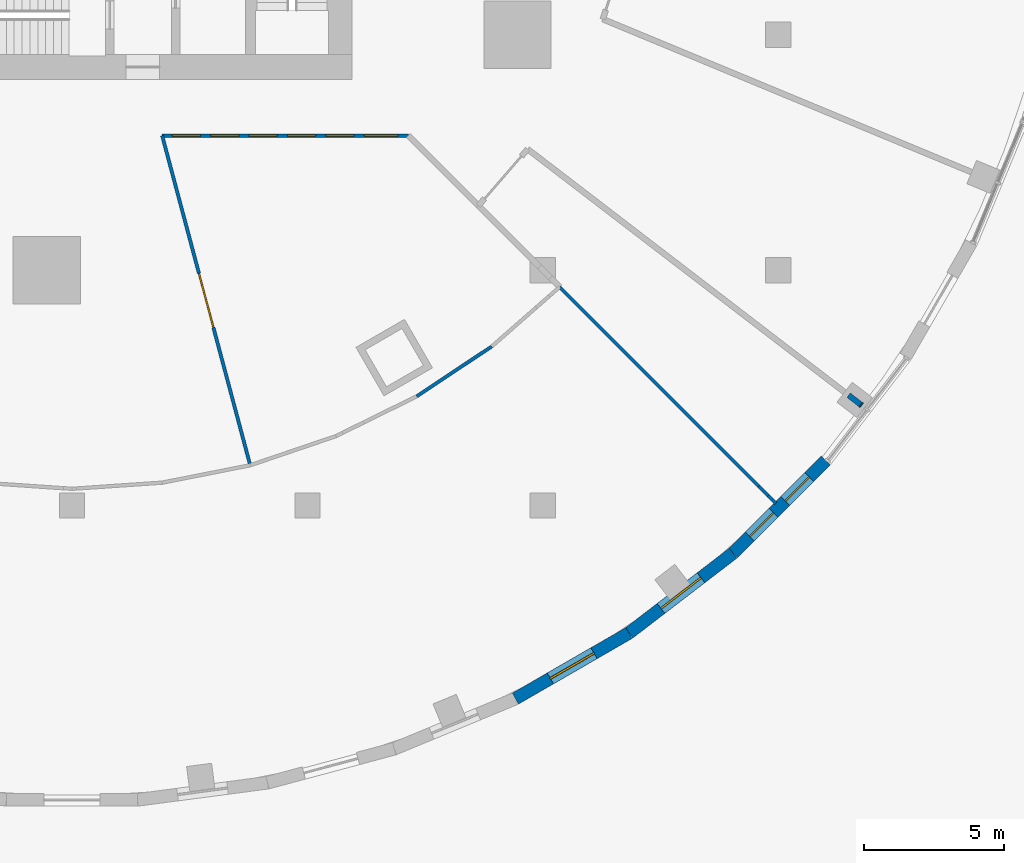
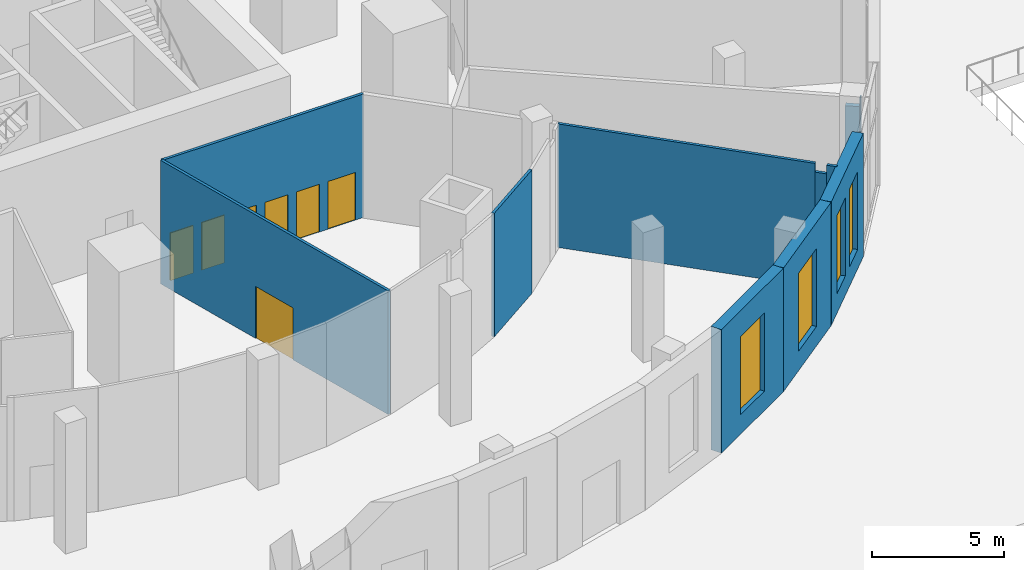
# One storey, part 10 of 19: 11 walls, 7 doors, 4 windows, 11 openings.
"""IFC4 building model written with IfcOpenShell, lengths in metres."""

from ifc_helpers import new_model, si_unit, direction, frame, frame_2d, origin, place, context, subcontext, project, spatial, rectangle, extrude, material, layer, layer_set, type_object, element, fill, save


model = new_model("IFC4")

# Units and contexts
model_context = context("Model", 3, precision=1e-05, world=origin(), true_north=direction((0.0, 1.0)))
body_context = subcontext(model_context, "Body", "Model", "MODEL_VIEW")
ifc_project = project(units=[si_unit("LENGTHUNIT", "METRE"), si_unit("AREAUNIT", "SQUARE_METRE"), si_unit("VOLUMEUNIT", "CUBIC_METRE"), si_unit("PLANEANGLEUNIT", "RADIAN"), si_unit("MASSUNIT", "GRAM", prefix="KILO")], contexts=[model_context])

# Site, building, storey
site_placement = place(None, origin())
site = spatial("IfcSite", under=ifc_project, at=site_placement, CompositionType="ELEMENT")
building_placement = place(site_placement, origin())
building = spatial("IfcBuilding", under=site, at=building_placement, Name="Golbaran Civic Tower", CompositionType="ELEMENT")
storey_placement = place(building_placement, origin())
storey = spatial("IfcBuildingStorey", under=building, at=storey_placement, Name="L00", CompositionType="ELEMENT", Elevation=0.0)

# Wall, opening, door
ifc_material_1 = material(Name="Glazed screen on steel framing", Category="steel")
ifc_layer_1 = layer(ifc_material_1, 0.1201171875, Name="Glazed screen on steel framing")
ifc_layer_set_1 = layer_set([ifc_layer_1], Name="Glazed screen on steel framing")
wall_type_1 = type_object("IfcWallType", Name="GLAZED SCREEN PARTITION 120", PredefinedType="PARTITIONING", material=ifc_layer_set_1)
wall_1_placement = place(storey_placement, frame((3.219970703125, -12.0, 0.0), z_axis=(0.0, 0.0, 1.0), x_axis=(0.257979728484, -0.966150329758, 0.0)))
wall_1 = element("IfcWall", 1, at=wall_1_placement, inside=storey, type_object=wall_type_1, Name="Podium partition L00", PredefinedType="PARTITIONING", context=body_context, shape_type="SweptSolid", body=[
    extrude(rectangle(XDim=12.172119140625, YDim=0.1201171875, at=frame_2d((6.0859375, 0.0))), origin(), (0.0, 0.0, 1.0), 5.699951171875),
])
opening_1_placement = place(wall_1_placement, frame((5.0859375, 0.0, 0.0)))
opening_1 = element("IfcOpeningElement", 2, at=opening_1_placement, cuts=wall_1, Name="Opening L00.22", PredefinedType="OPENING", context=body_context, shape_type="SweptSolid", body=[
    extrude(rectangle(XDim=2.0, YDim=2.39990234375, at=frame_2d((1.0, 1.199951171875))), frame((0.0, 0.070068359375, 0.0), z_axis=(0.0, -1.0, 0.0), x_axis=(1.0, 0.0, 0.0)), (0.0, 0.0, 1.0), 0.14013671875),
])
ifc_material_2 = material(Name="Timber door set in steel frame", Category="steel")
door_type_1 = type_object("IfcDoorType", Name="PUBLIC DOUBLE DOOR 2000x2400", OperationType="DOUBLE_DOOR_SINGLE_SWING", PredefinedType="DOOR", material=ifc_material_2)
door_1_placement = place(opening_1_placement, origin())
door_1 = element("IfcDoor", 3, at=door_1_placement, inside=storey, type_object=door_type_1, Name="Security Screening Room door", OperationType="DOUBLE_DOOR_SINGLE_SWING", OverallHeight=2.39990234375, OverallWidth=2.0, PredefinedType="DOOR", context=body_context, shape_type="SweptSolid", body=[
    extrude(rectangle(XDim=2.0, YDim=2.39990234375, at=frame_2d((1.0, 1.199951171875))), frame((0.0, 0.02490234375, 0.0), z_axis=(0.0, -1.0, 0.0), x_axis=(1.0, 0.0, 0.0)), (0.0, 0.0, 1.0), 0.050048828125),
])
fill(opening_1, door_1)

# Walls
wall_2_placement = place(storey_placement, frame((12.300048828125, -21.300048828125, 0.0), z_axis=(0.0, 0.0, 1.0), x_axis=(0.832994734858, 0.553280915719, 0.0)))
element("IfcWall", 4, at=wall_2_placement, inside=storey, type_object=wall_type_1, Name="Podium partition L00", PredefinedType="PARTITIONING", context=body_context, shape_type="SweptSolid", body=[
    extrude(rectangle(XDim=3.21728515625, YDim=0.1201171875, at=frame_2d((1.608642578125, 0.0))), origin(), (0.0, 0.0, 1.0), 5.699951171875),
])
wall_3_placement = place(storey_placement, frame((17.39990234375, -17.39990234375, 0.0), z_axis=(0.0, 0.0, 1.0), x_axis=(0.707106781187, -0.707106781187, 0.0)))
element("IfcWall", 5, at=wall_3_placement, inside=storey, type_object=wall_type_1, Name="Podium partition L00", PredefinedType="PARTITIONING", context=body_context, shape_type="SweptSolid", body=[
    extrude(rectangle(XDim=10.061767578125, YDim=0.1201171875, at=frame_2d((5.03076171875, 0.0))), origin(), (0.0, 0.0, 1.0), 5.699951171875),
])
wall_4_placement = place(storey_placement, frame((24.5146484375, -24.5146484375, 0.0), z_axis=(0.0, 0.0, 1.0), x_axis=(0.707106781187, -0.707106781187, 0.0)))
element("IfcWall", 6, at=wall_4_placement, inside=storey, type_object=wall_type_1, Name="Podium partition L00 under the beam over", PredefinedType="PARTITIONING", context=body_context, shape_type="SweptSolid", body=[
    extrude(rectangle(XDim=0.4599609375, YDim=0.1201171875, at=frame_2d((0.22998046875, 0.0))), origin(), (0.0, 0.0, 1.0), 5.300048828125),
])
wall_5_placement = place(storey_placement, frame((24.83984375, -24.83984375, 0.0), z_axis=(0.0, 0.0, 1.0), x_axis=(0.707106781187, -0.707106781187, 0.0)))
element("IfcWall", 7, at=wall_5_placement, inside=storey, type_object=wall_type_1, Name="Podium partition L00 under the beam over", PredefinedType="PARTITIONING", context=body_context, shape_type="SweptSolid", body=[
    extrude(rectangle(XDim=0.396484375, YDim=0.1201171875, at=frame_2d((0.1982421875, 0.0))), origin(), (0.0, 0.0, 1.0), 5.699951171875),
])

# Wall, openings, doors
wall_6_placement = place(storey_placement, frame((3.21533203125, -12.0, 0.0), z_axis=(0.0, 0.0, 1.0), x_axis=(1.0, 0.0, 0.0)))
wall_6 = element("IfcWall", 8, at=wall_6_placement, inside=storey, type_object=wall_type_1, Name="Security screening line L00", PredefinedType="PARTITIONING", context=body_context, shape_type="SweptSolid", body=[
    extrude(rectangle(XDim=8.78466796875, YDim=0.1201171875, at=frame_2d((4.392333984375, 0.0))), origin(), (0.0, 0.0, 1.0), 5.699951171875),
])
opening_2_placement = place(wall_6_placement, frame((0.369140625, 0.0, 0.0)))
opening_2 = element("IfcOpeningElement", 9, at=opening_2_placement, cuts=wall_6, Name="Opening L00.28", PredefinedType="OPENING", context=body_context, shape_type="SweptSolid", body=[
    extrude(rectangle(XDim=1.0, YDim=2.199951171875, at=frame_2d((0.5, 1.10009765625))), frame((0.0, 0.070068359375, 0.0), z_axis=(0.0, -1.0, 0.0), x_axis=(1.0, 0.0, 0.0)), (0.0, 0.0, 1.0), 0.14013671875),
])
opening_3_placement = place(wall_6_placement, frame((1.738525390625, 0.0, 0.0)))
opening_3 = element("IfcOpeningElement", 10, at=opening_3_placement, cuts=wall_6, Name="Opening L00.29", PredefinedType="OPENING", context=body_context, shape_type="SweptSolid", body=[
    extrude(rectangle(XDim=1.0, YDim=2.199951171875, at=frame_2d((0.5, 1.10009765625))), frame((0.0, 0.070068359375, 0.0), z_axis=(0.0, -1.0, 0.0), x_axis=(1.0, 0.0, 0.0)), (0.0, 0.0, 1.0), 0.14013671875),
])
opening_4_placement = place(wall_6_placement, frame((3.107666015625, 0.0, 0.0)))
opening_4 = element("IfcOpeningElement", 11, at=opening_4_placement, cuts=wall_6, Name="Opening L00.30", PredefinedType="OPENING", context=body_context, shape_type="SweptSolid", body=[
    extrude(rectangle(XDim=1.0, YDim=2.199951171875, at=frame_2d((0.5, 1.10009765625))), frame((0.0, 0.070068359375, 0.0), z_axis=(0.0, -1.0, 0.0), x_axis=(1.0, 0.0, 0.0)), (0.0, 0.0, 1.0), 0.14013671875),
])
opening_5_placement = place(wall_6_placement, frame((4.476806640625, 0.0, 0.0)))
opening_5 = element("IfcOpeningElement", 12, at=opening_5_placement, cuts=wall_6, Name="Opening L00.31", PredefinedType="OPENING", context=body_context, shape_type="SweptSolid", body=[
    extrude(rectangle(XDim=1.0, YDim=2.199951171875, at=frame_2d((0.5, 1.10009765625))), frame((0.0, 0.070068359375, 0.0), z_axis=(0.0, -1.0, 0.0), x_axis=(1.0, 0.0, 0.0)), (0.0, 0.0, 1.0), 0.14013671875),
])
opening_6_placement = place(wall_6_placement, frame((5.84619140625, 0.0, 0.0)))
opening_6 = element("IfcOpeningElement", 13, at=opening_6_placement, cuts=wall_6, Name="Opening L00.32", PredefinedType="OPENING", context=body_context, shape_type="SweptSolid", body=[
    extrude(rectangle(XDim=1.0, YDim=2.199951171875, at=frame_2d((0.5, 1.10009765625))), frame((0.0, 0.070068359375, 0.0), z_axis=(0.0, -1.0, 0.0), x_axis=(1.0, 0.0, 0.0)), (0.0, 0.0, 1.0), 0.14013671875),
])
opening_7_placement = place(wall_6_placement, frame((7.21533203125, 0.0, 0.0)))
opening_7 = element("IfcOpeningElement", 14, at=opening_7_placement, cuts=wall_6, Name="Opening L00.33", PredefinedType="OPENING", context=body_context, shape_type="SweptSolid", body=[
    extrude(rectangle(XDim=1.199951171875, YDim=2.199951171875, at=frame_2d((0.60009765625, 1.10009765625))), frame((0.0, 0.070068359375, 0.0), z_axis=(0.0, -1.0, 0.0), x_axis=(1.0, 0.0, 0.0)), (0.0, 0.0, 1.0), 0.14013671875),
])
ifc_material_3 = material(Name="Stainless steel frame, toughened glass", Category="steel")
door_type_2 = type_object("IfcDoorType", Name="ACCESSIBLE SECURITY GATE 1200x2200", OperationType="SINGLE_SWING_LEFT", PredefinedType="GATE", material=ifc_material_3)
door_2_placement = place(opening_7_placement, origin())
door_2 = element("IfcDoor", 15, at=door_2_placement, inside=storey, type_object=door_type_2, Name="Accessible security gate 6", OperationType="SINGLE_SWING_RIGHT", OverallHeight=2.199951171875, OverallWidth=1.199951171875, PredefinedType="GATE", context=body_context, shape_type="SweptSolid", body=[
    extrude(rectangle(XDim=1.199951171875, YDim=2.199951171875, at=frame_2d((0.60009765625, 1.10009765625))), frame((0.0, 0.02490234375, 0.0), z_axis=(0.0, -1.0, 0.0), x_axis=(1.0, 0.0, 0.0)), (0.0, 0.0, 1.0), 0.050048828125),
])
fill(opening_7, door_2)
door_type_3 = type_object("IfcDoorType", Name="SECURITY GATE 1000x2200", OperationType="SINGLE_SWING_LEFT", PredefinedType="GATE", material=ifc_material_3)
door_3_placement = place(opening_2_placement, origin())
door_3 = element("IfcDoor", 16, at=door_3_placement, inside=storey, type_object=door_type_3, Name="Security gate 1", OperationType="SINGLE_SWING_LEFT", OverallHeight=2.199951171875, OverallWidth=1.0, PredefinedType="GATE", context=body_context, shape_type="SweptSolid", body=[
    extrude(rectangle(XDim=1.0, YDim=2.199951171875, at=frame_2d((0.5, 1.10009765625))), frame((0.0, 0.02490234375, 0.0), z_axis=(0.0, -1.0, 0.0), x_axis=(1.0, 0.0, 0.0)), (0.0, 0.0, 1.0), 0.050048828125),
])
fill(opening_2, door_3)
door_4_placement = place(opening_3_placement, origin())
door_4 = element("IfcDoor", 17, at=door_4_placement, inside=storey, type_object=door_type_3, Name="Security gate 2", OperationType="SINGLE_SWING_LEFT", OverallHeight=2.199951171875, OverallWidth=1.0, PredefinedType="GATE", context=body_context, shape_type="SweptSolid", body=[
    extrude(rectangle(XDim=1.0, YDim=2.199951171875, at=frame_2d((0.5, 1.10009765625))), frame((0.0, 0.02490234375, 0.0), z_axis=(0.0, -1.0, 0.0), x_axis=(1.0, 0.0, 0.0)), (0.0, 0.0, 1.0), 0.050048828125),
])
fill(opening_3, door_4)
door_5_placement = place(opening_4_placement, origin())
door_5 = element("IfcDoor", 18, at=door_5_placement, inside=storey, type_object=door_type_3, Name="Security gate 3", OperationType="SINGLE_SWING_LEFT", OverallHeight=2.199951171875, OverallWidth=1.0, PredefinedType="GATE", context=body_context, shape_type="SweptSolid", body=[
    extrude(rectangle(XDim=1.0, YDim=2.199951171875, at=frame_2d((0.5, 1.10009765625))), frame((0.0, 0.02490234375, 0.0), z_axis=(0.0, -1.0, 0.0), x_axis=(1.0, 0.0, 0.0)), (0.0, 0.0, 1.0), 0.050048828125),
])
fill(opening_4, door_5)
door_6_placement = place(opening_5_placement, origin())
door_6 = element("IfcDoor", 19, at=door_6_placement, inside=storey, type_object=door_type_3, Name="Security gate 4", OperationType="SINGLE_SWING_RIGHT", OverallHeight=2.199951171875, OverallWidth=1.0, PredefinedType="GATE", context=body_context, shape_type="SweptSolid", body=[
    extrude(rectangle(XDim=1.0, YDim=2.199951171875, at=frame_2d((0.5, 1.10009765625))), frame((0.0, 0.02490234375, 0.0), z_axis=(0.0, -1.0, 0.0), x_axis=(1.0, 0.0, 0.0)), (0.0, 0.0, 1.0), 0.050048828125),
])
fill(opening_5, door_6)
door_7_placement = place(opening_6_placement, origin())
door_7 = element("IfcDoor", 20, at=door_7_placement, inside=storey, type_object=door_type_3, Name="Security gate 5", OperationType="SINGLE_SWING_RIGHT", OverallHeight=2.199951171875, OverallWidth=1.0, PredefinedType="GATE", context=body_context, shape_type="SweptSolid", body=[
    extrude(rectangle(XDim=1.0, YDim=2.199951171875, at=frame_2d((0.5, 1.10009765625))), frame((0.0, 0.02490234375, 0.0), z_axis=(0.0, -1.0, 0.0), x_axis=(1.0, 0.0, 0.0)), (0.0, 0.0, 1.0), 0.050048828125),
])
fill(opening_6, door_7)

# Walls
ifc_material_4 = material(Name="Concrete block, plastered", Category="concrete")
ifc_layer_2 = layer(ifc_material_4, 0.199951171875, Name="Concrete block, plastered")
ifc_layer_set_2 = layer_set([ifc_layer_2], Name="Concrete block, plastered")
wall_type_2 = type_object("IfcWallType", Name="PODIUM PARTITION 200", PredefinedType="PARTITIONING", material=ifc_layer_set_2)
wall_7_placement = place(storey_placement, frame((27.711669921875, -21.260986328125, 0.0), z_axis=(0.0, 0.0, 1.0), x_axis=(0.793772252569, -0.608215102618, 0.0)))
element("IfcWall", 21, at=wall_7_placement, inside=storey, type_object=wall_type_2, Name="Podium partition L00 under the beam over", PredefinedType="PARTITIONING", context=body_context, shape_type="SweptSolid", body=[
    extrude(rectangle(XDim=0.544677734375, YDim=0.199951171875, at=frame_2d((0.2724609375, 0.0))), origin(), (0.0, 0.0, 1.0), 5.300048828125),
])
wall_8_placement = place(storey_placement, frame((28.14404296875, -21.59228515625, 0.0), z_axis=(0.0, 0.0, 1.0), x_axis=(0.790219801195, -0.612823519294, 0.0)))
element("IfcWall", 22, at=wall_8_placement, inside=storey, type_object=wall_type_2, Name="Podium partition L00 under the beam over", PredefinedType="PARTITIONING", context=body_context, shape_type="SweptSolid", body=[
    extrude(rectangle(XDim=0.04541015625, YDim=0.199951171875, at=frame_2d((0.022705078125, 0.0))), origin(), (0.0, 0.0, 1.0), 5.699951171875),
])

# Wall, opening, window
ifc_material_5 = material(Name="Terracotta brick", Category="masonry")
ifc_layer_3 = layer(ifc_material_5, 0.449951171875, Name="Terracotta brick")
ifc_layer_set_3 = layer_set([ifc_layer_3], Name="Terracotta brick")
wall_type_3 = type_object("IfcWallType", Name="TERRACOTTA BRICK FACADE WALL 450", PredefinedType="SOLIDWALL", material=ifc_layer_set_3)
wall_9_placement = place(storey_placement, frame((15.822998046875, -32.085693359375, 0.0), z_axis=(0.0, 0.0, 1.0), x_axis=(0.866012687223, 0.500022025083, 0.0)))
wall_9 = element("IfcWall", 23, at=wall_9_placement, inside=storey, type_object=wall_type_3, Name="Podium wall L00 facet 40", PredefinedType="SOLIDWALL", context=body_context, shape_type="SweptSolid", body=[
    extrude(rectangle(XDim=4.679443359375, YDim=0.449951171875, at=frame_2d((2.33984375, 0.0))), origin(), (0.0, 0.0, 1.0), 5.699951171875),
])
opening_8_placement = place(wall_9_placement, frame((1.439697265625, 0.0, 0.89990234375)))
opening_8 = element("IfcOpeningElement", 24, at=opening_8_placement, cuts=wall_9, Name="Opening L00.W28", PredefinedType="OPENING", context=body_context, shape_type="SweptSolid", body=[
    extrude(rectangle(XDim=1.800048828125, YDim=3.60009765625, at=frame_2d((0.89990234375, 1.800048828125))), frame((0.0, 0.23486328125, 0.0), z_axis=(0.0, -1.0, 0.0), x_axis=(1.0, 0.0, 0.0)), (0.0, 0.0, 1.0), 0.469970703125),
])
ifc_material_6 = material(Name="Aluminium frame, clear glass", Category="aluminium")
window_type_1 = type_object("IfcWindowType", Name="PODIUM WINDOW 1800x3600", PartitioningType="SINGLE_PANEL", PredefinedType="WINDOW", material=ifc_material_6)
window_1_placement = place(opening_8_placement, origin())
window_1 = element("IfcWindow", 25, at=window_1_placement, inside=storey, type_object=window_type_1, Name="Podium window L00 facet 40", OverallHeight=3.60009765625, OverallWidth=1.800048828125, PartitioningType="SINGLE_PANEL", PredefinedType="WINDOW", context=body_context, shape_type="SweptSolid", body=[
    extrude(rectangle(XDim=1.800048828125, YDim=3.60009765625, at=frame_2d((0.89990234375, 1.800048828125))), frame((0.0, 0.030029296875, 0.0), z_axis=(0.0, -1.0, 0.0), x_axis=(1.0, 0.0, 0.0)), (0.0, 0.0, 1.0), 0.06005859375),
])
fill(opening_8, window_1)

wall_10_placement = place(storey_placement, frame((19.87548828125, -29.745849609375, 0.0), z_axis=(0.0, 0.0, 1.0), x_axis=(0.79334682721, 0.608769916927, 0.0)))
wall_10 = element("IfcWall", 26, at=wall_10_placement, inside=storey, type_object=wall_type_3, Name="Podium wall L00 facet 41", PredefinedType="SOLIDWALL", context=body_context, shape_type="SweptSolid", body=[
    extrude(rectangle(XDim=4.6796875, YDim=0.449951171875, at=frame_2d((2.33984375, 0.0))), origin(), (0.0, 0.0, 1.0), 5.699951171875),
])
opening_9_placement = place(wall_10_placement, frame((1.439697265625, 0.0, 0.89990234375)))
opening_9 = element("IfcOpeningElement", 27, at=opening_9_placement, cuts=wall_10, Name="Opening L00.W29", PredefinedType="OPENING", context=body_context, shape_type="SweptSolid", body=[
    extrude(rectangle(XDim=1.800048828125, YDim=3.60009765625, at=frame_2d((0.89990234375, 1.800048828125))), frame((0.0, 0.23486328125, 0.0), z_axis=(0.0, -1.0, 0.0), x_axis=(1.0, 0.0, 0.0)), (0.0, 0.0, 1.0), 0.469970703125),
])
window_2_placement = place(opening_9_placement, origin())
window_2 = element("IfcWindow", 28, at=window_2_placement, inside=storey, type_object=window_type_1, Name="Podium window L00 facet 41", OverallHeight=3.60009765625, OverallWidth=1.800048828125, PartitioningType="SINGLE_PANEL", PredefinedType="WINDOW", context=body_context, shape_type="SweptSolid", body=[
    extrude(rectangle(XDim=1.800048828125, YDim=3.60009765625, at=frame_2d((0.89990234375, 1.800048828125))), frame((0.0, 0.030029296875, 0.0), z_axis=(0.0, -1.0, 0.0), x_axis=(1.0, 0.0, 0.0)), (0.0, 0.0, 1.0), 0.06005859375),
])
fill(opening_9, window_2)

# Wall, openings, windows
wall_11_placement = place(storey_placement, frame((23.588134765625, -26.89697265625, 0.0), z_axis=(0.0, 0.0, 1.0), x_axis=(0.707106781187, 0.707106781187, 0.0)))
wall_11 = element("IfcWall", 29, at=wall_11_placement, inside=storey, type_object=wall_type_3, Name="Podium wall L00 facet 42", PredefinedType="SOLIDWALL", context=body_context, shape_type="SweptSolid", body=[
    extrude(rectangle(XDim=4.679443359375, YDim=0.449951171875, at=frame_2d((2.33984375, 0.0))), origin(), (0.0, 0.0, 1.0), 5.699951171875),
])
opening_10_placement = place(wall_11_placement, frame((0.840087890625, 0.0, 0.89990234375)))
opening_10 = element("IfcOpeningElement", 30, at=opening_10_placement, cuts=wall_11, Name="Opening L00.W30", PredefinedType="OPENING", context=body_context, shape_type="SweptSolid", body=[
    extrude(rectangle(XDim=1.199951171875, YDim=3.60009765625, at=frame_2d((0.60009765625, 1.800048828125))), frame((0.0, 0.23486328125, 0.0), z_axis=(0.0, -1.0, 0.0), x_axis=(1.0, 0.0, 0.0)), (0.0, 0.0, 1.0), 0.469970703125),
])
opening_11_placement = place(wall_11_placement, frame((2.639892578125, 0.0, 0.89990234375)))
opening_11 = element("IfcOpeningElement", 31, at=opening_11_placement, cuts=wall_11, Name="Opening L00.W31", PredefinedType="OPENING", context=body_context, shape_type="SweptSolid", body=[
    extrude(rectangle(XDim=1.199951171875, YDim=3.60009765625, at=frame_2d((0.60009765625, 1.800048828125))), frame((0.0, 0.23486328125, 0.0), z_axis=(0.0, -1.0, 0.0), x_axis=(1.0, 0.0, 0.0)), (0.0, 0.0, 1.0), 0.469970703125),
])
window_type_2 = type_object("IfcWindowType", Name="PODIUM PAIRED WINDOW 1200x3600", PartitioningType="SINGLE_PANEL", PredefinedType="WINDOW", material=ifc_material_6)
window_3_placement = place(opening_10_placement, origin())
window_3 = element("IfcWindow", 32, at=window_3_placement, inside=storey, type_object=window_type_2, Name="Podium window L00 facet 42a", OverallHeight=3.60009765625, OverallWidth=1.199951171875, PartitioningType="SINGLE_PANEL", PredefinedType="WINDOW", context=body_context, shape_type="SweptSolid", body=[
    extrude(rectangle(XDim=1.199951171875, YDim=3.60009765625, at=frame_2d((0.60009765625, 1.800048828125))), frame((0.0, 0.030029296875, 0.0), z_axis=(0.0, -1.0, 0.0), x_axis=(1.0, 0.0, 0.0)), (0.0, 0.0, 1.0), 0.06005859375),
])
fill(opening_10, window_3)
window_4_placement = place(opening_11_placement, origin())
window_4 = element("IfcWindow", 33, at=window_4_placement, inside=storey, type_object=window_type_2, Name="Podium window L00 facet 42b", OverallHeight=3.60009765625, OverallWidth=1.199951171875, PartitioningType="SINGLE_PANEL", PredefinedType="WINDOW", context=body_context, shape_type="SweptSolid", body=[
    extrude(rectangle(XDim=1.199951171875, YDim=3.60009765625, at=frame_2d((0.60009765625, 1.800048828125))), frame((0.0, 0.030029296875, 0.0), z_axis=(0.0, -1.0, 0.0), x_axis=(1.0, 0.0, 0.0)), (0.0, 0.0, 1.0), 0.06005859375),
])
fill(opening_11, window_4)

save(model, "model.ifc")
